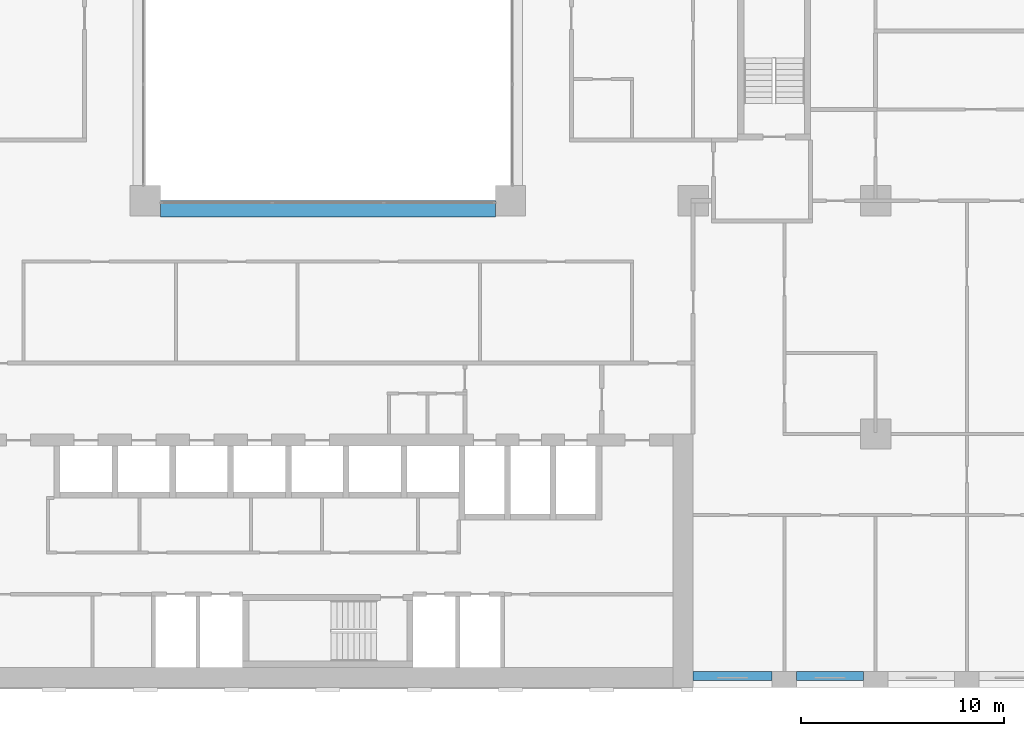
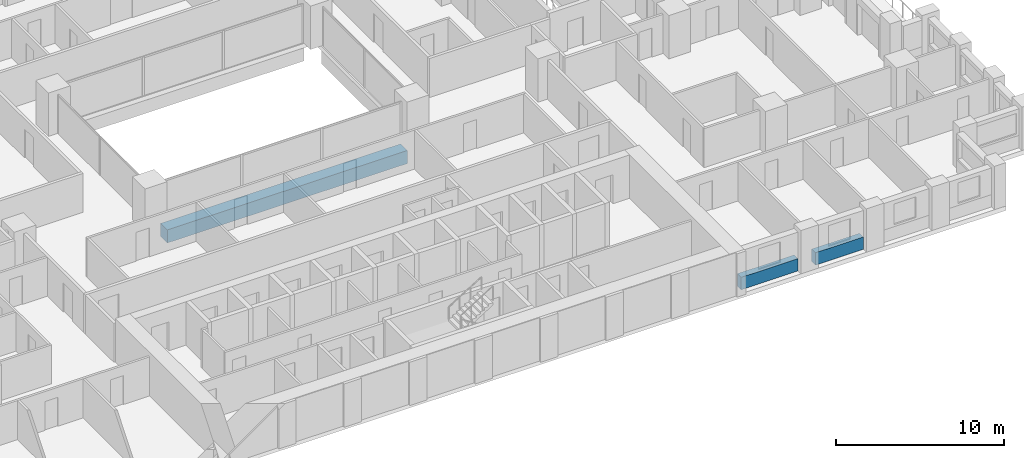
# One storey, part 3 of 19: 3 beams.
"""IFC4 building model written with IfcOpenShell, lengths in metres."""

from ifc_helpers import new_model, si_unit, direction, frame, origin, origin_2d, place, context, subcontext, project, spatial, rectangle, extrude, material, material_profile, profile_set, type_object, element, save


model = new_model("IFC4")

# Units and contexts
model_context = context("Model", 3, precision=1e-05, world=origin(), true_north=direction((0.0, 1.0)))
body_context = subcontext(model_context, "Body", "Model", "MODEL_VIEW")
ifc_project = project(units=[si_unit("LENGTHUNIT", "METRE"), si_unit("AREAUNIT", "SQUARE_METRE"), si_unit("VOLUMEUNIT", "CUBIC_METRE"), si_unit("PLANEANGLEUNIT", "RADIAN"), si_unit("MASSUNIT", "GRAM", prefix="KILO")], contexts=[model_context])

# Site, building, storey
site_placement = place(None, origin())
site = spatial("IfcSite", under=ifc_project, at=site_placement, CompositionType="ELEMENT")
building_placement = place(site_placement, origin())
building = spatial("IfcBuilding", under=site, at=building_placement, Name="Brigalow Station Residences", CompositionType="ELEMENT")
storey_placement = place(building_placement, frame((0.0, 0.0, 28.949951171875)))
storey = spatial("IfcBuildingStorey", under=building, at=storey_placement, Name="L07", CompositionType="ELEMENT", Elevation=28.949951171875)

# Beams
ifc_material_1 = material(Name="Concrete C65", Category="concrete")
ifc_material_profile_1 = material_profile(ifc_material_1, rectangle(XDim=0.800048828125, YDim=0.949951171875, at=origin_2d()), Name="RC800x950")
ifc_profile_set_1 = profile_set([ifc_material_profile_1], Name="Concrete C65")
beam_type_1 = type_object("IfcBeamType", Name="ATRIUM EDGE GIRDER OVER 13.5 M SPAN 800x950 C65", PredefinedType="BEAM", material=ifc_profile_set_1)
beam_1_placement = place(storey_placement, frame((27.75, 23.60009765625, -0.794921875), z_axis=(1.0, 0.0, 0.0), x_axis=(0.0, 1.0, 0.0)))
element("IfcBeam", 1, at=beam_1_placement, inside=storey, type_object=beam_type_1, Name="ATRIUM EDGE GIRDER C L07", PredefinedType="BEAM", context=body_context, shape_type="SweptSolid", body=[
    extrude(rectangle(XDim=0.800048828125, YDim=0.949951171875, at=origin_2d()), origin(), (0.0, 0.0, 1.0), 16.5),
])
ifc_material_2 = material(Name="Concrete C65", Category="concrete")
ifc_material_profile_2 = material_profile(ifc_material_2, rectangle(XDim=0.449951171875, YDim=0.89990234375, at=origin_2d()), Name="RC450x900")
ifc_profile_set_2 = profile_set([ifc_material_profile_2], Name="Concrete C65")
beam_type_2 = type_object("IfcBeamType", Name="SPANDREL BEAM 450x900 C65", PredefinedType="SPANDREL", material=ifc_profile_set_2)
beam_2_placement = place(storey_placement, frame((54.0, 0.574951171875, 0.449951171875), z_axis=(1.0, 0.0, 0.0), x_axis=(0.0, 1.0, 0.0)))
element("IfcBeam", 2, at=beam_2_placement, inside=storey, type_object=beam_type_2, Name="L07/spandrel/W-L07-5", PredefinedType="SPANDREL", context=body_context, shape_type="SweptSolid", body=[
    extrude(rectangle(XDim=0.449951171875, YDim=0.89990234375, at=origin_2d()), origin(), (0.0, 0.0, 1.0), 3.89990234375),
])
beam_3_placement = place(storey_placement, frame((59.10009765625, 0.574951171875, 0.449951171875), z_axis=(1.0, 0.0, 0.0), x_axis=(0.0, 1.0, 0.0)))
element("IfcBeam", 3, at=beam_3_placement, inside=storey, type_object=beam_type_2, Name="L07/spandrel/W-L07-6", PredefinedType="SPANDREL", context=body_context, shape_type="SweptSolid", body=[
    extrude(rectangle(XDim=0.449951171875, YDim=0.89990234375, at=origin_2d()), origin(), (0.0, 0.0, 1.0), 3.2998046875),
])

save(model, "model.ifc")
